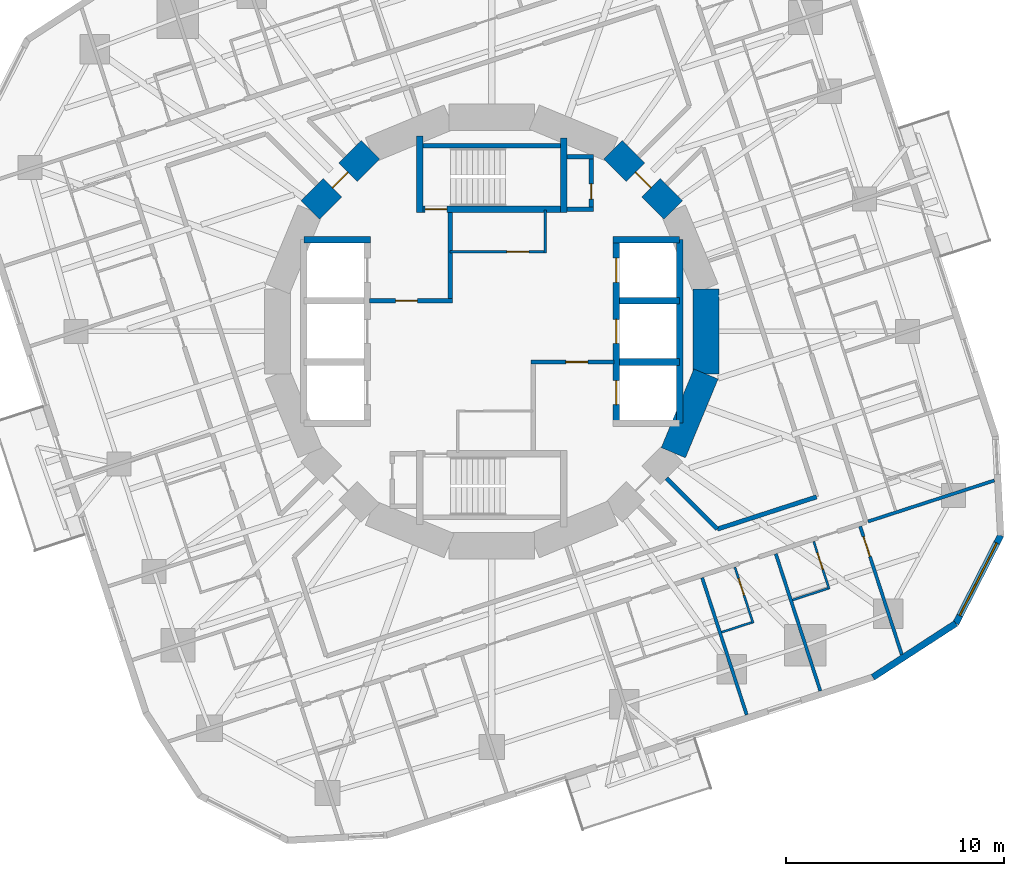
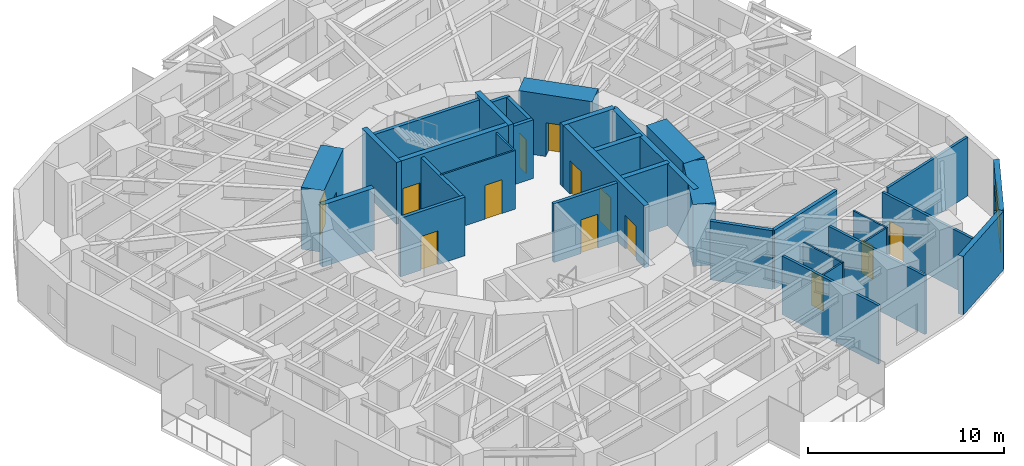
# One storey, part 7 of 12: 34 walls, 13 doors, 1 window, 14 openings.
"""IFC4 building model written with IfcOpenShell, lengths in metres."""

from ifc_helpers import new_model, si_unit, direction, frame, frame_2d, origin, place, context, subcontext, project, spatial, rectangle, extrude, material, layer, layer_set, type_object, element, fill, save


model = new_model("IFC4")

# Units and contexts
model_context = context("Model", 3, precision=1e-05, world=origin(), true_north=direction((0.0, 1.0)))
body_context = subcontext(model_context, "Body", "Model", "MODEL_VIEW")
ifc_project = project(units=[si_unit("LENGTHUNIT", "METRE"), si_unit("AREAUNIT", "SQUARE_METRE"), si_unit("VOLUMEUNIT", "CUBIC_METRE"), si_unit("PLANEANGLEUNIT", "RADIAN"), si_unit("MASSUNIT", "GRAM", prefix="KILO")], contexts=[model_context])

# Site, building, storey
site_placement = place(None, origin())
site = spatial("IfcSite", under=ifc_project, at=site_placement, CompositionType="ELEMENT")
building_placement = place(site_placement, origin())
building = spatial("IfcBuilding", under=site, at=building_placement, Name="Nakasero Lantern House", CompositionType="ELEMENT")
storey_placement = place(building_placement, frame((0.0, 0.0, 145.64990234375)))
storey = spatial("IfcBuildingStorey", under=building, at=storey_placement, Name="L35", CompositionType="ELEMENT", Elevation=145.64990234375)

# Wall, openings, doors
ifc_material_1 = material(Name="Concrete C50/60", Category="concrete")
ifc_layer_1 = layer(ifc_material_1, 0.300048828125)
ifc_layer_set_1 = layer_set([ifc_layer_1], Name="Core inner wall 300")
wall_type_1 = type_object("IfcWallType", Name="Core inner wall 300", PredefinedType="SHEAR", material=ifc_layer_set_1)
wall_1_placement = place(storey_placement, frame((5.699951171875, -4.199951171875, 0.0), z_axis=(0.0, 0.0, 1.0), x_axis=(0.0, 1.0, 0.0)))
wall_1 = element("IfcWall", 1, at=wall_1_placement, inside=storey, type_object=wall_type_1, Name="Core inner wall L35 LE", PredefinedType="SHEAR", context=body_context, shape_type="SweptSolid", body=[
    extrude(rectangle(XDim=8.39990234375, YDim=0.300048828125, at=frame_2d((4.199951171875, 0.0))), origin(), (0.0, 0.0, 1.0), 3.85009765625),
])
opening_1_placement = place(wall_1_placement, frame((0.85009765625, 0.0, 0.0)))
opening_1 = element("IfcOpeningElement", 2, at=opening_1_placement, cuts=wall_1, Name="Opening LD", PredefinedType="OPENING", context=body_context, shape_type="SweptSolid", body=[
    extrude(rectangle(XDim=1.10009765625, YDim=2.10009765625, at=frame_2d((0.550048828125, 1.050048828125))), frame((0.0, 0.169921875, 0.0), z_axis=(0.0, -1.0, 0.0), x_axis=(1.0, 0.0, 0.0)), (0.0, 0.0, 1.0), 0.340087890625),
])
opening_2_placement = place(wall_1_placement, frame((3.64990234375, 0.0, 0.0)))
opening_2 = element("IfcOpeningElement", 3, at=opening_2_placement, cuts=wall_1, Name="Opening LD", PredefinedType="OPENING", context=body_context, shape_type="SweptSolid", body=[
    extrude(rectangle(XDim=1.10009765625, YDim=2.10009765625, at=frame_2d((0.550048828125, 1.050048828125))), frame((0.0, 0.169921875, 0.0), z_axis=(0.0, -1.0, 0.0), x_axis=(1.0, 0.0, 0.0)), (0.0, 0.0, 1.0), 0.340087890625),
])
opening_3_placement = place(wall_1_placement, frame((6.449951171875, 0.0, 0.0)))
opening_3 = element("IfcOpeningElement", 4, at=opening_3_placement, cuts=wall_1, Name="Opening LD", PredefinedType="OPENING", context=body_context, shape_type="SweptSolid", body=[
    extrude(rectangle(XDim=1.10009765625, YDim=2.10009765625, at=frame_2d((0.550048828125, 1.050048828125))), frame((0.0, 0.169921875, 0.0), z_axis=(0.0, -1.0, 0.0), x_axis=(1.0, 0.0, 0.0)), (0.0, 0.0, 1.0), 0.340087890625),
])
ifc_material_2 = material(Name="Steel S355", Category="steel")
door_type_1 = type_object("IfcDoorType", Name="Lift landing door E120 1100", OperationType="SLIDING_TO_LEFT", PredefinedType="DOOR", material=ifc_material_2)
door_1_placement = place(opening_1_placement, origin())
door_1 = element("IfcDoor", 5, at=door_1_placement, inside=storey, type_object=door_type_1, Name="Lift landing door LE1", OperationType="SLIDING_TO_LEFT", OverallHeight=2.10009765625, OverallWidth=1.10009765625, PredefinedType="DOOR", context=body_context, shape_type="SweptSolid", body=[
    extrude(rectangle(XDim=1.10009765625, YDim=2.10009765625, at=frame_2d((0.550048828125, 1.050048828125))), frame((0.0, 0.02490234375, 0.0), z_axis=(0.0, -1.0, 0.0), x_axis=(1.0, 0.0, 0.0)), (0.0, 0.0, 1.0), 0.050048828125),
])
fill(opening_1, door_1)
door_2_placement = place(opening_2_placement, origin())
door_2 = element("IfcDoor", 6, at=door_2_placement, inside=storey, type_object=door_type_1, Name="Lift landing door LE2", OperationType="SLIDING_TO_LEFT", OverallHeight=2.10009765625, OverallWidth=1.10009765625, PredefinedType="DOOR", context=body_context, shape_type="SweptSolid", body=[
    extrude(rectangle(XDim=1.10009765625, YDim=2.10009765625, at=frame_2d((0.550048828125, 1.050048828125))), frame((0.0, 0.02490234375, 0.0), z_axis=(0.0, -1.0, 0.0), x_axis=(1.0, 0.0, 0.0)), (0.0, 0.0, 1.0), 0.050048828125),
])
fill(opening_2, door_2)
door_3_placement = place(opening_3_placement, origin())
door_3 = element("IfcDoor", 7, at=door_3_placement, inside=storey, type_object=door_type_1, Name="Lift landing door LE3", OperationType="SLIDING_TO_LEFT", OverallHeight=2.10009765625, OverallWidth=1.10009765625, PredefinedType="DOOR", context=body_context, shape_type="SweptSolid", body=[
    extrude(rectangle(XDim=1.10009765625, YDim=2.10009765625, at=frame_2d((0.550048828125, 1.050048828125))), frame((0.0, 0.02490234375, 0.0), z_axis=(0.0, -1.0, 0.0), x_axis=(1.0, 0.0, 0.0)), (0.0, 0.0, 1.0), 0.050048828125),
])
fill(opening_3, door_3)

# Walls
for number, where, z_axis, x_axis, name in (
    (8, (-8.60009765625, 4.199951171875, 0.0), (0.0, 0.0, 1.0), (1.0, 0.0, 0.0), "Core inner wall L35 LWN"),
    (9, (5.550048828125, 4.199951171875, 0.0), (0.0, 0.0, 1.0), (1.0, 0.0, 0.0), "Core inner wall L35 LEN"),
):
    element("IfcWall", number, at=place(storey_placement, frame(where, z_axis=z_axis, x_axis=x_axis)), inside=storey, type_object=wall_type_1, Name=name, PredefinedType="SHEAR", context=body_context, shape_type="SweptSolid", body=[
        extrude(rectangle(XDim=3.050048828125, YDim=0.300048828125, at=frame_2d((1.52490234375, 0.0))), origin(), (0.0, 0.0, 1.0), 3.85009765625),
    ])
wall_2_placement = place(storey_placement, frame((8.60009765625, -4.199951171875, 0.0), z_axis=(0.0, 0.0, 1.0), x_axis=(0.0, 1.0, 0.0)))
element("IfcWall", 10, at=wall_2_placement, inside=storey, type_object=wall_type_1, Name="Core inner wall L35 LEB", PredefinedType="SHEAR", context=body_context, shape_type="SweptSolid", body=[
    extrude(rectangle(XDim=8.39990234375, YDim=0.300048828125, at=frame_2d((4.199951171875, 0.0))), origin(), (0.0, 0.0, 1.0), 3.85009765625),
])
for number, where, z_axis, x_axis, name in (
    (11, (5.85009765625, -1.39990234375, 0.0), (0.0, 0.0, 1.0), (1.0, 0.0, 0.0), "Core inner wall L35 LE1"),
    (12, (5.85009765625, 1.39990234375, 0.0), (0.0, 0.0, 1.0), (1.0, 0.0, 0.0), "Core inner wall L35 LE2"),
):
    element("IfcWall", number, at=place(storey_placement, frame(where, z_axis=z_axis, x_axis=x_axis)), inside=storey, type_object=wall_type_1, Name=name, PredefinedType="SHEAR", context=body_context, shape_type="SweptSolid", body=[
        extrude(rectangle(XDim=2.75, YDim=0.300048828125, at=frame_2d((1.375, 0.0))), origin(), (0.0, 0.0, 1.0), 3.85009765625),
    ])

# Wall, opening, door
wall_3_placement = place(storey_placement, frame((-3.449951171875, 5.60009765625, 0.0), z_axis=(0.0, 0.0, 1.0), x_axis=(1.0, 0.0, 0.0)))
wall_3 = element("IfcWall", 13, at=wall_3_placement, inside=storey, type_object=wall_type_1, Name="Core inner wall L35 SN", PredefinedType="SHEAR", context=body_context, shape_type="SweptSolid", body=[
    extrude(rectangle(XDim=6.89990234375, YDim=0.300048828125, at=frame_2d((3.449951171875, 0.0))), origin(), (0.0, 0.0, 1.0), 3.85009765625),
])
opening_4_placement = place(wall_3_placement, frame((0.39990234375, 0.0, 0.0)))
opening_4 = element("IfcOpeningElement", 14, at=opening_4_placement, cuts=wall_3, Name="Opening D05", PredefinedType="OPENING", context=body_context, shape_type="SweptSolid", body=[
    extrude(rectangle(XDim=1.0, YDim=2.10009765625, at=frame_2d((0.5, 1.050048828125))), frame((0.0, 0.169921875, 0.0), z_axis=(0.0, -1.0, 0.0), x_axis=(1.0, 0.0, 0.0)), (0.0, 0.0, 1.0), 0.340087890625),
])
ifc_material_3 = material(Name="Timber C24", Category="wood")
door_type_2 = type_object("IfcDoorType", Name="Core door FD60S 1000", OperationType="SINGLE_SWING_LEFT", PredefinedType="DOOR", material=ifc_material_3)
door_4_placement = place(opening_4_placement, origin())
door_4 = element("IfcDoor", 15, at=door_4_placement, inside=storey, type_object=door_type_2, Name="Door L35 D-ST1", OperationType="SINGLE_SWING_LEFT", OverallHeight=2.10009765625, OverallWidth=1.0, PredefinedType="DOOR", context=body_context, shape_type="SweptSolid", body=[
    extrude(rectangle(XDim=1.0, YDim=2.10009765625, at=frame_2d((0.5, 1.050048828125))), frame((0.0, 0.02490234375, 0.0), z_axis=(0.0, -1.0, 0.0), x_axis=(1.0, 0.0, 0.0)), (0.0, 0.0, 1.0), 0.050048828125),
])
fill(opening_4, door_4)

# Walls
wall_4_placement = place(storey_placement, frame((-3.300048828125, 5.449951171875, 0.0), z_axis=(0.0, 0.0, 1.0), x_axis=(0.0, 1.0, 0.0)))
element("IfcWall", 16, at=wall_4_placement, inside=storey, type_object=wall_type_1, Name="Core inner wall L35 SNW", PredefinedType="SHEAR", context=body_context, shape_type="SweptSolid", body=[
    extrude(rectangle(XDim=3.5, YDim=0.300048828125, at=frame_2d((1.75, 0.0))), origin(), (0.0, 0.0, 1.0), 3.85009765625),
])
wall_5_placement = place(storey_placement, frame((3.300048828125, 5.449951171875, 0.0), z_axis=(0.0, 0.0, 1.0), x_axis=(0.0, 1.0, 0.0)))
element("IfcWall", 17, at=wall_5_placement, inside=storey, type_object=wall_type_1, Name="Core inner wall L35 SNE", PredefinedType="SHEAR", context=body_context, shape_type="SweptSolid", body=[
    extrude(rectangle(XDim=3.400146484375, YDim=0.300048828125, at=frame_2d((1.7001953125, 0.0))), origin(), (0.0, 0.0, 1.0), 3.85009765625),
])

# Wall, opening, door
ifc_material_4 = material(Name="Blockwork", Category="masonry")
ifc_layer_2 = layer(ifc_material_4, 0.10009765625)
ifc_layer_set_2 = layer_set([ifc_layer_2], Name="Core room wall 100")
wall_type_2 = type_object("IfcWallType", Name="Core room wall 100", PredefinedType="PARTITIONING", material=ifc_layer_set_2)
wall_6_placement = place(storey_placement, frame((-1.89990234375, 3.64990234375, 0.0), z_axis=(0.0, 0.0, 1.0), x_axis=(1.0, 0.0, 0.0)))
wall_6 = element("IfcWall", 18, at=wall_6_placement, inside=storey, type_object=wall_type_2, Name="Core room wall L35 CR-NES", PredefinedType="PARTITIONING", context=body_context, shape_type="SweptSolid", body=[
    extrude(rectangle(XDim=4.39990234375, YDim=0.10009765625, at=frame_2d((2.199951171875, 0.0))), origin(), (0.0, 0.0, 1.0), 3.650146484375),
])
opening_5_placement = place(wall_6_placement, frame((2.60009765625, 0.0, 0.0)))
opening_5 = element("IfcOpeningElement", 19, at=opening_5_placement, cuts=wall_6, Name="Opening D07", PredefinedType="OPENING", context=body_context, shape_type="SweptSolid", body=[
    extrude(rectangle(XDim=1.0, YDim=2.10009765625, at=frame_2d((0.5, 1.050048828125))), frame((0.0, 0.070068359375, 0.0), z_axis=(0.0, -1.0, 0.0), x_axis=(1.0, 0.0, 0.0)), (0.0, 0.0, 1.0), 0.14013671875),
])
ifc_material_5 = material(Name="Timber C24", Category="wood")
door_type_3 = type_object("IfcDoorType", Name="Room door FD30S 1000", OperationType="SINGLE_SWING_LEFT", PredefinedType="DOOR", material=ifc_material_5)
door_5_placement = place(opening_5_placement, origin())
door_5 = element("IfcDoor", 20, at=door_5_placement, inside=storey, type_object=door_type_3, Name="Door L35 D-CR-NE", OperationType="SINGLE_SWING_RIGHT", OverallHeight=2.10009765625, OverallWidth=1.0, PredefinedType="DOOR", context=body_context, shape_type="SweptSolid", body=[
    extrude(rectangle(XDim=1.0, YDim=2.10009765625, at=frame_2d((0.5, 1.050048828125))), frame((0.0, 0.02490234375, 0.0), z_axis=(0.0, -1.0, 0.0), x_axis=(1.0, 0.0, 0.0)), (0.0, 0.0, 1.0), 0.050048828125),
])
fill(opening_5, door_5)

# Wall
wall_7_placement = place(storey_placement, frame((2.449951171875, 3.60009765625, 0.0), z_axis=(0.0, 0.0, 1.0), x_axis=(0.0, 1.0, 0.0)))
element("IfcWall", 21, at=wall_7_placement, inside=storey, type_object=wall_type_2, Name="Core room wall L35 CR-NEE", PredefinedType="PARTITIONING", context=body_context, shape_type="SweptSolid", body=[
    extrude(rectangle(XDim=1.949951171875, YDim=0.10009765625, at=frame_2d((0.97509765625, 0.0))), origin(), (0.0, 0.0, 1.0), 3.650146484375),
])

# Wall, opening, door
ifc_material_6 = material(Name="Concrete C50/60", Category="concrete")
ifc_layer_3 = layer(ifc_material_6, 1.199951171875)
ifc_layer_set_3 = layer_set([ifc_layer_3], Name="Core wall 1200")
wall_type_3 = type_object("IfcWallType", Name="Core wall 1200", PredefinedType="SHEAR", material=ifc_layer_set_3)
wall_8_placement = place(storey_placement, frame((8.314697265625, 5.5556640625, 0.0), z_axis=(0.0, 0.0, 1.0), x_axis=(-0.707106781187, 0.707106781187, 0.0)))
wall_8 = element("IfcWall", 22, at=wall_8_placement, inside=storey, type_object=wall_type_3, Name="Core wall L35 facet 2", PredefinedType="SHEAR", context=body_context, shape_type="SweptSolid", body=[
    extrude(rectangle(XDim=3.90185546875, YDim=1.199951171875, at=frame_2d((1.950927734375, 0.0))), origin(), (0.0, 0.0, 1.0), 3.85009765625),
])
opening_6_placement = place(wall_8_placement, frame((1.450927734375, 0.0, 0.0)))
opening_6 = element("IfcOpeningElement", 23, at=opening_6_placement, cuts=wall_8, Name="Opening D05", PredefinedType="OPENING", context=body_context, shape_type="SweptSolid", body=[
    extrude(rectangle(XDim=1.0, YDim=2.10009765625, at=frame_2d((0.5, 1.050048828125))), frame((0.0, 0.619873046875, 0.0), z_axis=(0.0, -1.0, 0.0), x_axis=(1.0, 0.0, 0.0)), (0.0, 0.0, 1.0), 1.239990234375),
])
door_6_placement = place(opening_6_placement, origin())
door_6 = element("IfcDoor", 24, at=door_6_placement, inside=storey, type_object=door_type_2, Name="Door L35 D-CORE02", OperationType="SINGLE_SWING_LEFT", OverallHeight=2.10009765625, OverallWidth=1.0, PredefinedType="DOOR", context=body_context, shape_type="SweptSolid", body=[
    extrude(rectangle(XDim=1.0, YDim=2.10009765625, at=frame_2d((0.5, 1.050048828125))), frame((0.0, 0.02490234375, 0.0), z_axis=(0.0, -1.0, 0.0), x_axis=(1.0, 0.0, 0.0)), (0.0, 0.0, 1.0), 0.050048828125),
])
fill(opening_6, door_6)

wall_9_placement = place(storey_placement, frame((-5.5556640625, 8.314697265625, 0.0), z_axis=(0.0, 0.0, 1.0), x_axis=(-0.707106781187, -0.707106781187, 0.0)))
wall_9 = element("IfcWall", 25, at=wall_9_placement, inside=storey, type_object=wall_type_3, Name="Core wall L35 facet 6", PredefinedType="SHEAR", context=body_context, shape_type="SweptSolid", body=[
    extrude(rectangle(XDim=3.90185546875, YDim=1.199951171875, at=frame_2d((1.950927734375, 0.0))), origin(), (0.0, 0.0, 1.0), 3.85009765625),
])
opening_7_placement = place(wall_9_placement, frame((1.450927734375, 0.0, 0.0)))
opening_7 = element("IfcOpeningElement", 26, at=opening_7_placement, cuts=wall_9, Name="Opening D05", PredefinedType="OPENING", context=body_context, shape_type="SweptSolid", body=[
    extrude(rectangle(XDim=1.0, YDim=2.10009765625, at=frame_2d((0.5, 1.050048828125))), frame((0.0, 0.619873046875, 0.0), z_axis=(0.0, -1.0, 0.0), x_axis=(1.0, 0.0, 0.0)), (0.0, 0.0, 1.0), 1.239990234375),
])
door_7_placement = place(opening_7_placement, origin())
door_7 = element("IfcDoor", 27, at=door_7_placement, inside=storey, type_object=door_type_2, Name="Door L35 D-CORE06", OperationType="SINGLE_SWING_LEFT", OverallHeight=2.10009765625, OverallWidth=1.0, PredefinedType="DOOR", context=body_context, shape_type="SweptSolid", body=[
    extrude(rectangle(XDim=1.0, YDim=2.10009765625, at=frame_2d((0.5, 1.050048828125))), frame((0.0, 0.02490234375, 0.0), z_axis=(0.0, -1.0, 0.0), x_axis=(1.0, 0.0, 0.0)), (0.0, 0.0, 1.0), 0.050048828125),
])
fill(opening_7, door_7)

# Walls
for number, where, z_axis, x_axis, name in (
    (28, (8.314697265625, -5.5556640625, 0.0), (0.0, 0.0, 1.0), (0.382690736062, 0.923876507187, 0.0), "Core wall L35 facet 15"),
    (29, (9.807861328125, -1.950927734375, 0.0), (0.0, 0.0, 1.0), (0.0, 1.0, 0.0), "Core wall L35 facet 16"),
):
    element("IfcWall", number, at=place(storey_placement, frame(where, z_axis=z_axis, x_axis=x_axis)), inside=storey, type_object=wall_type_3, Name=name, PredefinedType="SHEAR", context=body_context, shape_type="SweptSolid", body=[
        extrude(rectangle(XDim=3.90185546875, YDim=1.199951171875, at=frame_2d((1.950927734375, 0.0))), origin(), (0.0, 0.0, 1.0), 3.85009765625),
    ])
ifc_material_7 = material(Name="Blockwork", Category="masonry")
ifc_layer_4 = layer(ifc_material_7, 0.199951171875)
ifc_layer_set_4 = layer_set([ifc_layer_4], Name="Corridor wall 200")
wall_type_4 = type_object("IfcWallType", Name="Corridor wall 200", PredefinedType="PARTITIONING", material=ifc_layer_set_4)
wall_10_placement = place(storey_placement, frame((10.3251953125, -9.052490234375, 0.0), z_axis=(0.0, 0.0, 1.0), x_axis=(0.951057724773, 0.309013275037, 0.0)))
element("IfcWall", 30, at=wall_10_placement, inside=storey, type_object=wall_type_4, Name="Corridor wall L35 IW3-1", PredefinedType="PARTITIONING", context=body_context, shape_type="SweptSolid", body=[
    extrude(rectangle(XDim=4.777587890625, YDim=0.199951171875, at=frame_2d((2.388671875, 0.0))), origin(), (0.0, 0.0, 1.0), 3.650146484375),
])
wall_11_placement = place(storey_placement, frame((7.995849609375, -6.72314453125, 0.0), z_axis=(0.0, 0.0, 1.0), x_axis=(0.707106781187, -0.707106781187, 0.0)))
element("IfcWall", 31, at=wall_11_placement, inside=storey, type_object=wall_type_4, Name="Corridor wall L35 PS14a", PredefinedType="PARTITIONING", context=body_context, shape_type="SweptSolid", body=[
    extrude(rectangle(XDim=3.294189453125, YDim=0.199951171875, at=frame_2d((1.64697265625, 0.0))), origin(), (0.0, 0.0, 1.0), 3.650146484375),
])

# Wall, opening, door
ifc_material_8 = material(Name="Blockwork", Category="masonry")
ifc_layer_5 = layer(ifc_material_8, 0.10009765625)
ifc_layer_set_5 = layer_set([ifc_layer_5], Name="En-suite wall 100")
wall_type_5 = type_object("IfcWallType", Name="En-suite wall 100", PredefinedType="PARTITIONING", material=ifc_layer_set_5)
wall_12_placement = place(storey_placement, frame((11.131591796875, -10.7880859375, 0.0), z_axis=(0.0, 0.0, 1.0), x_axis=(0.309057448393, -0.951043371037, 0.0)))
wall_12 = element("IfcWall", 32, at=wall_12_placement, inside=storey, type_object=wall_type_5, Name="En-suite wall L35 ES3-05", PredefinedType="PARTITIONING", context=body_context, shape_type="SweptSolid", body=[
    extrude(rectangle(XDim=2.699951171875, YDim=0.10009765625, at=frame_2d((1.35009765625, 0.0))), origin(), (0.0, 0.0, 1.0), 3.650146484375),
])
opening_8_placement = place(wall_12_placement, frame((0.550048828125, 0.0, 0.0)))
opening_8 = element("IfcOpeningElement", 33, at=opening_8_placement, cuts=wall_12, Name="Opening D02", PredefinedType="OPENING", context=body_context, shape_type="SweptSolid", body=[
    extrude(rectangle(XDim=0.800048828125, YDim=2.10009765625, at=frame_2d((0.39990234375, 1.050048828125))), frame((0.0, 0.070068359375, 0.0), z_axis=(0.0, -1.0, 0.0), x_axis=(1.0, 0.0, 0.0)), (0.0, 0.0, 1.0), 0.14013671875),
])
ifc_material_9 = material(Name="Timber C24", Category="wood")
door_type_4 = type_object("IfcDoorType", Name="En-suite door 800", OperationType="SINGLE_SWING_RIGHT", PredefinedType="DOOR", material=ifc_material_9)
door_8_placement = place(opening_8_placement, origin())
door_8 = element("IfcDoor", 34, at=door_8_placement, inside=storey, type_object=door_type_4, Name="Door L35 DE3-05", OperationType="SINGLE_SWING_LEFT", OverallHeight=2.10009765625, OverallWidth=0.800048828125, PredefinedType="DOOR", context=body_context, shape_type="SweptSolid", body=[
    extrude(rectangle(XDim=0.800048828125, YDim=2.10009765625, at=frame_2d((0.39990234375, 1.050048828125))), frame((0.0, 0.02490234375, 0.0), z_axis=(0.0, -1.0, 0.0), x_axis=(1.0, 0.0, 0.0)), (0.0, 0.0, 1.0), 0.050048828125),
])
fill(opening_8, door_8)

# Wall
wall_13_placement = place(storey_placement, frame((10.52392578125, -13.77197265625, 0.0), z_axis=(0.0, 0.0, 1.0), x_axis=(0.951079836914, 0.308945211672, 0.0)))
element("IfcWall", 35, at=wall_13_placement, inside=storey, type_object=wall_type_5, Name="En-suite wall L35 EE3-05", PredefinedType="PARTITIONING", context=body_context, shape_type="SweptSolid", body=[
    extrude(rectangle(XDim=1.4501953125, YDim=0.10009765625, at=frame_2d((0.72509765625, 0.0))), origin(), (0.0, 0.0, 1.0), 3.650146484375),
])

# Wall, opening, door
wall_14_placement = place(storey_placement, frame((14.740234375, -9.61572265625, 0.0), z_axis=(0.0, 0.0, 1.0), x_axis=(0.309021261611, -0.951055129775, 0.0)))
wall_14 = element("IfcWall", 36, at=wall_14_placement, inside=storey, type_object=wall_type_5, Name="En-suite wall L35 ES3-06", PredefinedType="PARTITIONING", context=body_context, shape_type="SweptSolid", body=[
    extrude(rectangle(XDim=2.2998046875, YDim=0.10009765625, at=frame_2d((1.14990234375, 0.0))), origin(), (0.0, 0.0, 1.0), 3.650146484375),
])
opening_9_placement = place(wall_14_placement, frame((0.550048828125, 0.0, 0.0)))
opening_9 = element("IfcOpeningElement", 37, at=opening_9_placement, cuts=wall_14, Name="Opening D02", PredefinedType="OPENING", context=body_context, shape_type="SweptSolid", body=[
    extrude(rectangle(XDim=0.800048828125, YDim=2.10009765625, at=frame_2d((0.39990234375, 1.050048828125))), frame((0.0, 0.070068359375, 0.0), z_axis=(0.0, -1.0, 0.0), x_axis=(1.0, 0.0, 0.0)), (0.0, 0.0, 1.0), 0.14013671875),
])
door_9_placement = place(opening_9_placement, origin())
door_9 = element("IfcDoor", 38, at=door_9_placement, inside=storey, type_object=door_type_4, Name="Door L35 DE3-06", OperationType="SINGLE_SWING_LEFT", OverallHeight=2.10009765625, OverallWidth=0.800048828125, PredefinedType="DOOR", context=body_context, shape_type="SweptSolid", body=[
    extrude(rectangle(XDim=0.800048828125, YDim=2.10009765625, at=frame_2d((0.39990234375, 1.050048828125))), frame((0.0, 0.02490234375, 0.0), z_axis=(0.0, -1.0, 0.0), x_axis=(1.0, 0.0, 0.0)), (0.0, 0.0, 1.0), 0.050048828125),
])
fill(opening_9, door_9)

# Walls
wall_15_placement = place(storey_placement, frame((13.771240234375, -12.29638671875, 0.0), z_axis=(0.0, 0.0, 1.0), x_axis=(0.951040401051, 0.309066587596, 0.0)))
element("IfcWall", 39, at=wall_15_placement, inside=storey, type_object=wall_type_5, Name="En-suite wall L35 EE3-06", PredefinedType="PARTITIONING", context=body_context, shape_type="SweptSolid", body=[
    extrude(rectangle(XDim=1.699951171875, YDim=0.10009765625, at=frame_2d((0.85009765625, 0.0))), origin(), (0.0, 0.0, 1.0), 3.650146484375),
])
ifc_material_10 = material(Name="Aluminium rainscreen on blockwork", Category="masonry")
ifc_layer_6 = layer(ifc_material_10, 0.300048828125)
ifc_layer_set_6 = layer_set([ifc_layer_6], Name="Facade wall 300")
wall_type_6 = type_object("IfcWallType", Name="Facade wall 300", PredefinedType="SOLIDWALL", material=ifc_layer_set_6)
wall_16_placement = place(storey_placement, frame((17.44677734375, -15.83349609375, 0.0), z_axis=(0.0, 0.0, 1.0), x_axis=(0.838673836229, 0.544634002266, 0.0)))
element("IfcWall", 40, at=wall_16_placement, inside=storey, type_object=wall_type_6, Name="Facade wall L35 FW3C1", PredefinedType="SOLIDWALL", context=body_context, shape_type="SweptSolid", body=[
    extrude(rectangle(XDim=4.529296875, YDim=0.300048828125, at=frame_2d((2.2646484375, 0.0))), origin(), (0.0, 0.0, 1.0), 3.650146484375),
])

# Wall, opening, window
wall_17_placement = place(storey_placement, frame((21.245361328125, -13.36669921875, 0.0), z_axis=(0.0, 0.0, 1.0), x_axis=(0.454013792196, 0.890994655705, 0.0)))
wall_17 = element("IfcWall", 41, at=wall_17_placement, inside=storey, type_object=wall_type_6, Name="Facade wall L35 FW3C2", PredefinedType="SOLIDWALL", context=body_context, shape_type="SweptSolid", body=[
    extrude(rectangle(XDim=4.529296875, YDim=0.300048828125, at=frame_2d((2.2646484375, 0.0))), origin(), (0.0, 0.0, 1.0), 3.650146484375),
])
opening_10_placement = place(wall_17_placement, frame((0.39990234375, 0.0, 0.75)))
opening_10 = element("IfcOpeningElement", 42, at=opening_10_placement, cuts=wall_17, Name="Opening W237A", PredefinedType="OPENING", context=body_context, shape_type="SweptSolid", body=[
    extrude(rectangle(XDim=3.72900390625, YDim=1.800048828125, at=frame_2d((1.864501953125, 0.89990234375))), frame((0.0, 0.169921875, 0.0), z_axis=(0.0, -1.0, 0.0), x_axis=(1.0, 0.0, 0.0)), (0.0, 0.0, 1.0), 0.340087890625),
])
ifc_material_11 = material(Name="Aluminium 6063-T6 and glass", Category="aluminium")
window_type = type_object("IfcWindowType", Name="Corner window 3729x1800", PartitioningType="SINGLE_PANEL", PredefinedType="WINDOW", material=ifc_material_11)
window_placement = place(opening_10_placement, origin())
window = element("IfcWindow", 43, at=window_placement, inside=storey, type_object=window_type, Name="Window L35 WC3", OverallHeight=1.800048828125, OverallWidth=3.72900390625, PartitioningType="SINGLE_PANEL", PredefinedType="WINDOW", context=body_context, shape_type="SweptSolid", body=[
    extrude(rectangle(XDim=3.72900390625, YDim=1.800048828125, at=frame_2d((1.864501953125, 0.89990234375))), frame((0.0, 0.030029296875, 0.0), z_axis=(0.0, -1.0, 0.0), x_axis=(1.0, 0.0, 0.0)), (0.0, 0.0, 1.0), 0.06005859375),
])
fill(opening_10, window)

# Wall, opening, door
ifc_material_12 = material(Name="Blockwork", Category="masonry")
ifc_layer_7 = layer(ifc_material_12, 0.199951171875)
ifc_layer_set_7 = layer_set([ifc_layer_7], Name="Fire lobby wall 200")
wall_type_7 = type_object("IfcWallType", Name="Fire lobby wall 200", PredefinedType="PARTITIONING", material=ifc_layer_set_7)
wall_18_placement = place(storey_placement, frame((-5.60009765625, 1.39990234375, 0.0), z_axis=(0.0, 0.0, 1.0), x_axis=(1.0, 0.0, 0.0)))
wall_18 = element("IfcWall", 44, at=wall_18_placement, inside=storey, type_object=wall_type_7, Name="Fire lobby wall L35 W-FL1S", PredefinedType="PARTITIONING", context=body_context, shape_type="SweptSolid", body=[
    extrude(rectangle(XDim=3.800048828125, YDim=0.199951171875, at=frame_2d((1.89990234375, 0.0))), origin(), (0.0, 0.0, 1.0), 3.650146484375),
])
opening_11_placement = place(wall_18_placement, frame((1.199951171875, 0.0, 0.0)))
opening_11 = element("IfcOpeningElement", 45, at=opening_11_placement, cuts=wall_18, Name="Opening D05", PredefinedType="OPENING", context=body_context, shape_type="SweptSolid", body=[
    extrude(rectangle(XDim=1.0, YDim=2.10009765625, at=frame_2d((0.5, 1.050048828125))), frame((0.0, 0.119873046875, 0.0), z_axis=(0.0, -1.0, 0.0), x_axis=(1.0, 0.0, 0.0)), (0.0, 0.0, 1.0), 0.239990234375),
])
door_10_placement = place(opening_11_placement, origin())
door_10 = element("IfcDoor", 46, at=door_10_placement, inside=storey, type_object=door_type_2, Name="Door L35 D-FL1", OperationType="SINGLE_SWING_LEFT", OverallHeight=2.10009765625, OverallWidth=1.0, PredefinedType="DOOR", context=body_context, shape_type="SweptSolid", body=[
    extrude(rectangle(XDim=1.0, YDim=2.10009765625, at=frame_2d((0.5, 1.050048828125))), frame((0.0, 0.02490234375, 0.0), z_axis=(0.0, -1.0, 0.0), x_axis=(1.0, 0.0, 0.0)), (0.0, 0.0, 1.0), 0.050048828125),
])
fill(opening_11, door_10)

# Wall
wall_19_placement = place(storey_placement, frame((-1.89990234375, 1.5, 0.0), z_axis=(0.0, 0.0, 1.0), x_axis=(0.0, 1.0, 0.0)))
element("IfcWall", 47, at=wall_19_placement, inside=storey, type_object=wall_type_7, Name="Fire lobby wall L35 W-FL1E", PredefinedType="PARTITIONING", context=body_context, shape_type="SweptSolid", body=[
    extrude(rectangle(XDim=3.949951171875, YDim=0.199951171875, at=frame_2d((1.97509765625, 0.0))), origin(), (0.0, 0.0, 1.0), 3.650146484375),
])

# Wall, opening, door
wall_20_placement = place(storey_placement, frame((5.60009765625, -1.39990234375, 0.0), z_axis=(0.0, 0.0, 1.0), x_axis=(-1.0, 0.0, 0.0)))
wall_20 = element("IfcWall", 48, at=wall_20_placement, inside=storey, type_object=wall_type_7, Name="Fire lobby wall L35 W-FL2N", PredefinedType="PARTITIONING", context=body_context, shape_type="SweptSolid", body=[
    extrude(rectangle(XDim=3.800048828125, YDim=0.199951171875, at=frame_2d((1.89990234375, 0.0))), origin(), (0.0, 0.0, 1.0), 3.650146484375),
])
opening_12_placement = place(wall_20_placement, frame((1.199951171875, 0.0, 0.0)))
opening_12 = element("IfcOpeningElement", 49, at=opening_12_placement, cuts=wall_20, Name="Opening D05", PredefinedType="OPENING", context=body_context, shape_type="SweptSolid", body=[
    extrude(rectangle(XDim=1.0, YDim=2.10009765625, at=frame_2d((0.5, 1.050048828125))), frame((0.0, 0.119873046875, 0.0), z_axis=(0.0, -1.0, 0.0), x_axis=(1.0, 0.0, 0.0)), (0.0, 0.0, 1.0), 0.239990234375),
])
door_11_placement = place(opening_12_placement, origin())
door_11 = element("IfcDoor", 50, at=door_11_placement, inside=storey, type_object=door_type_2, Name="Door L35 D-FL2", OperationType="SINGLE_SWING_LEFT", OverallHeight=2.10009765625, OverallWidth=1.0, PredefinedType="DOOR", context=body_context, shape_type="SweptSolid", body=[
    extrude(rectangle(XDim=1.0, YDim=2.10009765625, at=frame_2d((0.5, 1.050048828125))), frame((0.0, 0.02490234375, 0.0), z_axis=(0.0, -1.0, 0.0), x_axis=(1.0, 0.0, 0.0)), (0.0, 0.0, 1.0), 0.050048828125),
])
fill(opening_12, door_11)

wall_21_placement = place(storey_placement, frame((4.550048828125, 5.60009765625, 0.0), z_axis=(0.0, 0.0, 1.0), x_axis=(0.0, 1.0, 0.0)))
wall_21 = element("IfcWall", 51, at=wall_21_placement, inside=storey, type_object=wall_type_7, Name="Fire lobby wall L35 W-RS1E", PredefinedType="PARTITIONING", context=body_context, shape_type="SweptSolid", body=[
    extrude(rectangle(XDim=2.39990234375, YDim=0.199951171875, at=frame_2d((1.199951171875, 0.0))), origin(), (0.0, 0.0, 1.0), 3.650146484375),
])
opening_13_placement = place(wall_21_placement, frame((0.449951171875, 0.0, 0.0)))
opening_13 = element("IfcOpeningElement", 52, at=opening_13_placement, cuts=wall_21, Name="Opening D06", PredefinedType="OPENING", context=body_context, shape_type="SweptSolid", body=[
    extrude(rectangle(XDim=0.699951171875, YDim=2.10009765625, at=frame_2d((0.35009765625, 1.050048828125))), frame((0.0, 0.119873046875, 0.0), z_axis=(0.0, -1.0, 0.0), x_axis=(1.0, 0.0, 0.0)), (0.0, 0.0, 1.0), 0.239990234375),
])
ifc_material_13 = material(Name="Steel S355", Category="steel")
door_type_5 = type_object("IfcDoorType", Name="Riser door FD60 700", OperationType="SINGLE_SWING_LEFT", PredefinedType="DOOR", material=ifc_material_13)
door_12_placement = place(opening_13_placement, origin())
door_12 = element("IfcDoor", 53, at=door_12_placement, inside=storey, type_object=door_type_5, Name="Door L35 D-RS1", OperationType="SINGLE_SWING_LEFT", OverallHeight=2.10009765625, OverallWidth=0.699951171875, PredefinedType="DOOR", context=body_context, shape_type="SweptSolid", body=[
    extrude(rectangle(XDim=0.699951171875, YDim=2.10009765625, at=frame_2d((0.35009765625, 1.050048828125))), frame((0.0, 0.02490234375, 0.0), z_axis=(0.0, -1.0, 0.0), x_axis=(1.0, 0.0, 0.0)), (0.0, 0.0, 1.0), 0.050048828125),
])
fill(opening_13, door_12)

# Walls
for number, where, z_axis, x_axis, name in (
    (54, (3.449951171875, 8.0, 0.0), (0.0, 0.0, 1.0), (1.0, 0.0, 0.0), "Fire lobby wall L35 W-RS1N"),
    (55, (3.449951171875, 5.60009765625, 0.0), (0.0, 0.0, 1.0), (1.0, 0.0, 0.0), "Fire lobby wall L35 W-RS1S"),
):
    element("IfcWall", number, at=place(storey_placement, frame(where, z_axis=z_axis, x_axis=x_axis)), inside=storey, type_object=wall_type_7, Name=name, PredefinedType="PARTITIONING", context=body_context, shape_type="SweptSolid", body=[
        extrude(rectangle(XDim=1.199951171875, YDim=0.199951171875, at=frame_2d((0.60009765625, 0.0))), origin(), (0.0, 0.0, 1.0), 3.650146484375),
    ])
wall_22_placement = place(storey_placement, frame((-3.300048828125, 8.5, 0.0), z_axis=(0.0, 0.0, 1.0), x_axis=(1.0, 0.0, 0.0)))
element("IfcWall", 56, at=wall_22_placement, inside=storey, type_object=wall_type_7, Name="Fire lobby wall L35 W-STN", PredefinedType="PARTITIONING", context=body_context, shape_type="SweptSolid", body=[
    extrude(rectangle(XDim=6.60009765625, YDim=0.199951171875, at=frame_2d((3.300048828125, 0.0))), origin(), (0.0, 0.0, 1.0), 3.650146484375),
])
ifc_material_14 = material(Name="Blockwork", Category="masonry")
ifc_layer_8 = layer(ifc_material_14, 0.14990234375)
ifc_layer_set_8 = layer_set([ifc_layer_8], Name="Party wall 150")
wall_type_8 = type_object("IfcWallType", Name="Party wall 150", PredefinedType="PARTITIONING", material=ifc_layer_set_8)
wall_23_placement = place(storey_placement, frame((17.232177734375, -8.700927734375, 0.0), z_axis=(0.0, 0.0, 1.0), x_axis=(0.951057081836, 0.309015253813, 0.0)))
element("IfcWall", 57, at=wall_23_placement, inside=storey, type_object=wall_type_8, Name="Party wall L35 PW0-00", PredefinedType="PARTITIONING", context=body_context, shape_type="SweptSolid", body=[
    extrude(rectangle(XDim=6.080322265625, YDim=0.14990234375, at=frame_2d((3.0400390625, 0.0))), origin(), (0.0, 0.0, 1.0), 3.650146484375),
])
for number, where, z_axis, x_axis, name in (
    (58, (9.6337890625, -11.27490234375, 0.0), (0.0, 0.0, 1.0), (0.309027520945, -0.951053095941, 0.0), "Party wall L35 PW3-05"),
    (59, (13.004638671875, -10.1796875, 0.0), (0.0, 0.0, 1.0), (0.309027520945, -0.951053095941, 0.0), "Party wall L35 PW3-06"),
):
    element("IfcWall", number, at=place(storey_placement, frame(where, z_axis=z_axis, x_axis=x_axis)), inside=storey, type_object=wall_type_8, Name=name, PredefinedType="PARTITIONING", context=body_context, shape_type="SweptSolid", body=[
        extrude(rectangle(XDim=6.599853515625, YDim=0.14990234375, at=frame_2d((3.2998046875, 0.0))), origin(), (0.0, 0.0, 1.0), 3.650146484375),
    ])

# Wall, opening, door
wall_24_placement = place(storey_placement, frame((16.8662109375, -8.9248046875, 0.0), z_axis=(0.0, 0.0, 1.0), x_axis=(0.309031452366, -0.951051818488, 0.0)))
wall_24 = element("IfcWall", 60, at=wall_24_placement, inside=storey, type_object=wall_type_8, Name="Party wall L35 PC3", PredefinedType="PARTITIONING", context=body_context, shape_type="SweptSolid", body=[
    extrude(rectangle(XDim=6.165283203125, YDim=0.14990234375, at=frame_2d((3.08251953125, 0.0))), origin(), (0.0, 0.0, 1.0), 3.650146484375),
])
opening_14_placement = place(wall_24_placement, frame((0.5, 0.0, 0.0)))
opening_14 = element("IfcOpeningElement", 61, at=opening_14_placement, cuts=wall_24, Name="Opening D01", PredefinedType="OPENING", context=body_context, shape_type="SweptSolid", body=[
    extrude(rectangle(XDim=0.949951171875, YDim=2.10009765625, at=frame_2d((0.47509765625, 1.050048828125))), frame((0.0, 0.094970703125, 0.0), z_axis=(0.0, -1.0, 0.0), x_axis=(1.0, 0.0, 0.0)), (0.0, 0.0, 1.0), 0.18994140625),
])
ifc_material_15 = material(Name="Timber C24", Category="wood")
door_type_6 = type_object("IfcDoorType", Name="Bedroom door FD30S 950", OperationType="SINGLE_SWING_LEFT", PredefinedType="DOOR", material=ifc_material_15)
door_13_placement = place(opening_14_placement, origin())
door_13 = element("IfcDoor", 62, at=door_13_placement, inside=storey, type_object=door_type_6, Name="Door L35 DC3", OperationType="SINGLE_SWING_LEFT", OverallHeight=2.10009765625, OverallWidth=0.949951171875, PredefinedType="DOOR", context=body_context, shape_type="SweptSolid", body=[
    extrude(rectangle(XDim=0.949951171875, YDim=2.10009765625, at=frame_2d((0.47509765625, 1.050048828125))), frame((0.0, 0.02490234375, 0.0), z_axis=(0.0, -1.0, 0.0), x_axis=(1.0, 0.0, 0.0)), (0.0, 0.0, 1.0), 0.050048828125),
])
fill(opening_14, door_13)

save(model, "model.ifc")
